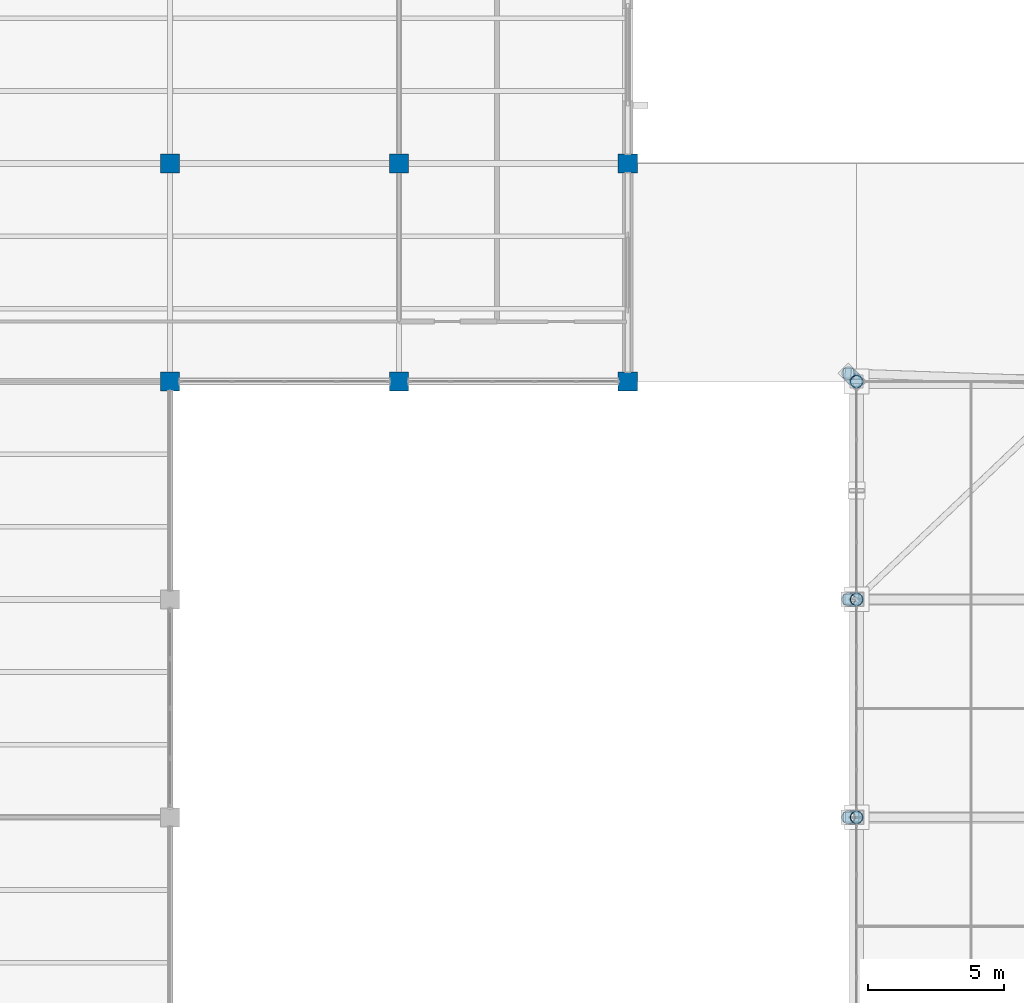
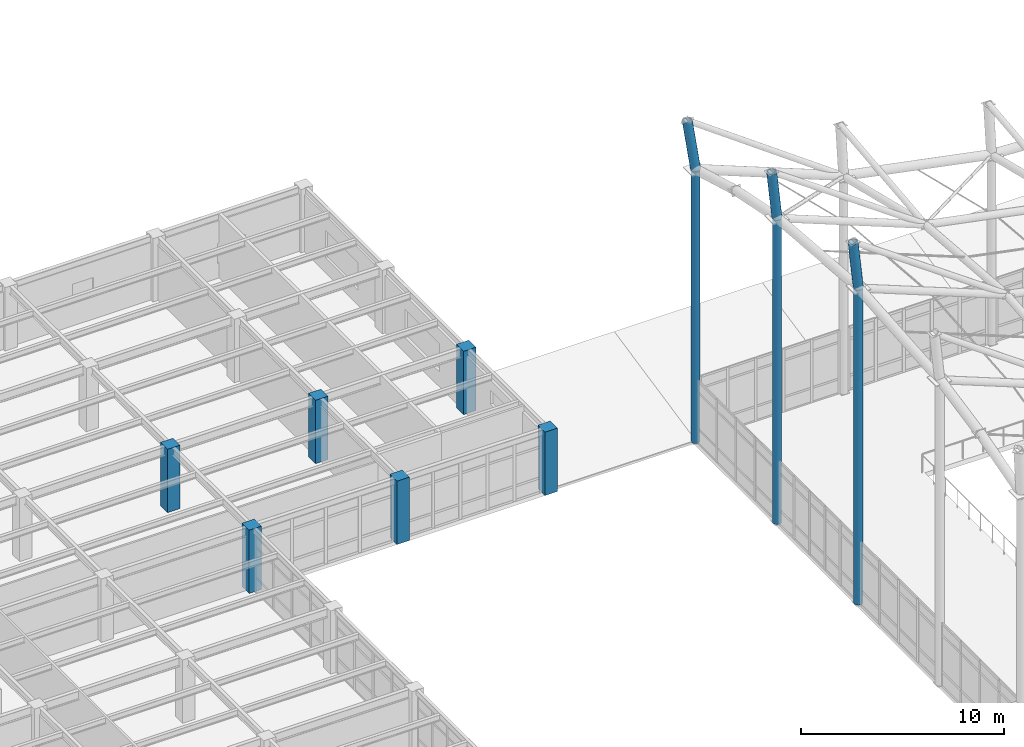
# One storey, part 11 of 138: 12 columns.
"""IFC4 building model written with IfcOpenShell, lengths in metres."""

from ifc_helpers import new_model, si_unit, direction, frame, origin, origin_2d, place, context, subcontext, project, spatial, rectangle, hollow_circle, extrude, material, material_profile, profile_set, type_object, element, save


model = new_model("IFC4")

# Units and contexts
model_context = context("Model", 3, precision=1e-05, world=origin(), true_north=direction((0.0, 1.0)))
body_context = subcontext(model_context, "Body", "Model", "MODEL_VIEW")
ifc_project = project(units=[si_unit("LENGTHUNIT", "METRE"), si_unit("AREAUNIT", "SQUARE_METRE"), si_unit("VOLUMEUNIT", "CUBIC_METRE"), si_unit("PLANEANGLEUNIT", "RADIAN"), si_unit("MASSUNIT", "GRAM", prefix="KILO")], contexts=[model_context])

# Site, building, storey
site_placement = place(None, origin())
site = spatial("IfcSite", under=ifc_project, at=site_placement, CompositionType="ELEMENT")
building_placement = place(site_placement, origin())
building = spatial("IfcBuilding", under=site, at=building_placement, Name="Kranzveld Transit Interchange", CompositionType="ELEMENT")
storey_placement = place(building_placement, frame((0.0, 0.0, 5.43994140625)))
storey = spatial("IfcBuildingStorey", under=building, at=storey_placement, Name="L01", CompositionType="ELEMENT", Elevation=5.43994140625)

# Columns
ifc_material_1 = material(Name="Concrete C35/45", Category="concrete")
ifc_material_profile_1 = material_profile(ifc_material_1, rectangle(XDim=0.699951171875, YDim=0.699951171875, at=origin_2d()), Name="RC 700x700")
ifc_profile_set_1 = profile_set([ifc_material_profile_1], Name="Concrete C35/45")
column_type_1 = type_object("IfcColumnType", Name="Column RC 700x700 C35/45", PredefinedType="COLUMN", material=ifc_profile_set_1)
for number, where, z_axis, x_axis, name in (
    (1, (33.60009765625, 88.0, 0.0), (0.0, 0.0, 1.0), (1.0, 0.0, 0.0), "L01 Column 05/M"),
    (2, (33.60009765625, 96.0, 0.0), (0.0, 0.0, 1.0), (1.0, 0.0, 0.0), "L01 Column 05/N"),
    (3, (42.0, 88.0, 0.0), (0.0, 0.0, 1.0), (1.0, 0.0, 0.0), "L01 Column 06/M"),
    (4, (42.0, 96.0, 0.0), (0.0, 0.0, 1.0), (1.0, 0.0, 0.0), "L01 Column 06/N"),
    (5, (50.39990234375, 88.0, 0.0), (0.0, 0.0, 1.0), (1.0, 0.0, 0.0), "L01 Column 07/M"),
    (6, (50.39990234375, 96.0, 0.0), (0.0, 0.0, 1.0), (1.0, 0.0, 0.0), "L01 Column 07/N"),
):
    element("IfcColumn", number, at=place(storey_placement, frame(where, z_axis=z_axis, x_axis=x_axis)), inside=storey, type_object=column_type_1, Name=name, PredefinedType="COLUMN", context=body_context, shape_type="SweptSolid", body=[
        extrude(rectangle(XDim=0.699951171875, YDim=0.699951171875, at=origin_2d()), origin(), (0.0, 0.0, 1.0), 3.800048828125),
    ])
ifc_material_2 = material(Name="Steel S355JR", Category="steel")
ifc_material_profile_2 = material_profile(ifc_material_2, hollow_circle(Radius=0.228515625, WallThickness=0.01611328125, at=origin_2d()), Name="CHS 457x16")
ifc_profile_set_2 = profile_set([ifc_material_profile_2], Name="Steel S355JR")
column_type_2 = type_object("IfcColumnType", Name="Concourse Column CHS 457x16 S355JR", PredefinedType="COLUMN", material=ifc_profile_set_2)
column_1_placement = place(storey_placement, frame((58.800048828125, 72.0, 0.0), z_axis=(0.0, 0.0, 1.0), x_axis=(1.0, 0.0, 0.0)))
element("IfcColumn", 7, at=column_1_placement, inside=storey, type_object=column_type_2, Name="L01 Column 08/K", PredefinedType="COLUMN", context=body_context, shape_type="SweptSolid", body=[
    extrude(hollow_circle(Radius=0.228515625, WallThickness=0.01611328125, at=origin_2d()), origin(), (0.0, 0.0, 1.0), 18.880126953125),
])
column_2_placement = place(storey_placement, frame((58.800048828125, 80.0, 0.0), z_axis=(0.0, 0.0, 1.0), x_axis=(1.0, 0.0, 0.0)))
element("IfcColumn", 8, at=column_2_placement, inside=storey, type_object=column_type_2, Name="L01 Column 08/L", PredefinedType="COLUMN", context=body_context, shape_type="SweptSolid", body=[
    extrude(hollow_circle(Radius=0.228515625, WallThickness=0.01611328125, at=origin_2d()), origin(), (0.0, 0.0, 1.0), 18.22998046875),
])
column_3_placement = place(storey_placement, frame((58.800048828125, 88.0, 0.0), z_axis=(0.0, 0.0, 1.0), x_axis=(1.0, 0.0, 0.0)))
element("IfcColumn", 9, at=column_3_placement, inside=storey, type_object=column_type_2, Name="L01 Column 08/M", PredefinedType="COLUMN", context=body_context, shape_type="SweptSolid", body=[
    extrude(hollow_circle(Radius=0.228515625, WallThickness=0.01611328125, at=origin_2d()), origin(), (0.0, 0.0, 1.0), 16.280029296875),
])
ifc_material_3 = material(Name="Steel S355JR", Category="steel")
ifc_material_profile_3 = material_profile(ifc_material_3, hollow_circle(Radius=0.25390625, WallThickness=0.02001953125, at=origin_2d()), Name="CHS 508x20")
ifc_profile_set_3 = profile_set([ifc_material_profile_3], Name="Steel S355JR")
column_type_3 = type_object("IfcColumnType", Name="Saddle Mast Steel CHS 508x20 S355JR", PredefinedType="COLUMN", material=ifc_profile_set_3)
column_4_placement = place(storey_placement, frame((58.800048828125, 72.0, 18.93017578125), z_axis=(-0.105439497006, 0.0, 0.994425719936), x_axis=(0.0, -1.0, 0.0)))
element("IfcColumn", 10, at=column_4_placement, inside=storey, type_object=column_type_3, Name="Saddle Roof Mast M03 (08/K)", PredefinedType="COLUMN", context=body_context, shape_type="SweptSolid", body=[
    extrude(hollow_circle(Radius=0.25390625, WallThickness=0.02001953125, at=origin_2d()), origin(), (0.0, 0.0, 1.0), 2.845703125),
])
column_5_placement = place(storey_placement, frame((58.800048828125, 80.0, 18.280029296875), z_axis=(-0.105430502232, 0.0, 0.994426673616), x_axis=(0.0, -1.0, 0.0)))
element("IfcColumn", 11, at=column_5_placement, inside=storey, type_object=column_type_3, Name="Saddle Roof Mast M04 (08/L)", PredefinedType="COLUMN", context=body_context, shape_type="SweptSolid", body=[
    extrude(hollow_circle(Radius=0.25390625, WallThickness=0.02001953125, at=origin_2d()), origin(), (0.0, 0.0, 1.0), 2.845947265625),
])
column_6_placement = place(storey_placement, frame((58.800048828125, 88.0, 16.330078125), z_axis=(-0.104849381236, 0.104849381236, 0.988945506339), x_axis=(-0.707106781187, -0.707106781187, 0.0)))
element("IfcColumn", 12, at=column_6_placement, inside=storey, type_object=column_type_3, Name="Saddle Roof Mast M05 (08/M)", PredefinedType="COLUMN", context=body_context, shape_type="SweptSolid", body=[
    extrude(hollow_circle(Radius=0.25390625, WallThickness=0.02001953125, at=origin_2d()), origin(), (0.0, 0.0, 1.0), 2.86181640625),
])

save(model, "model.ifc")
